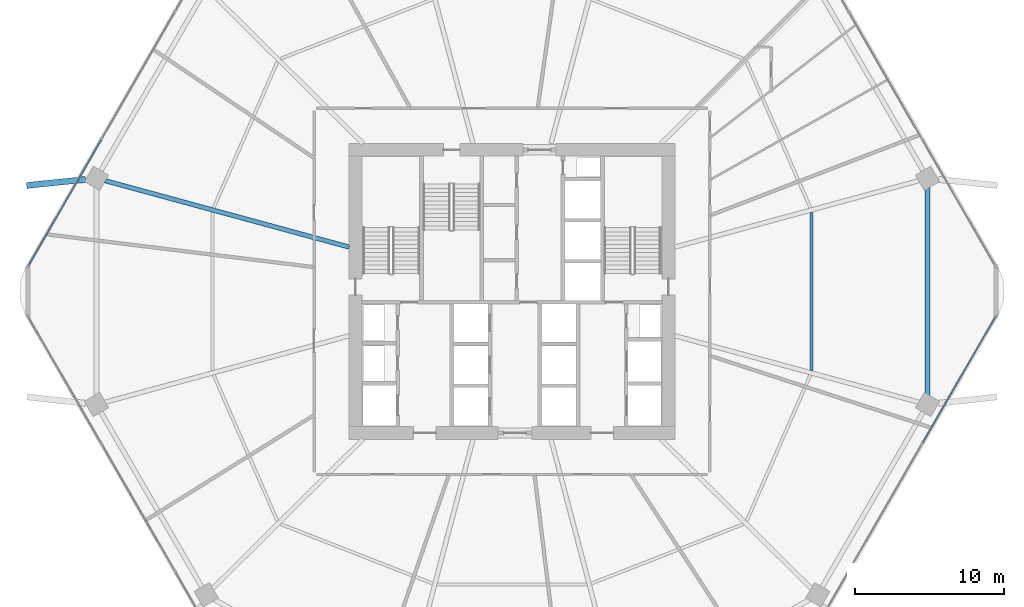
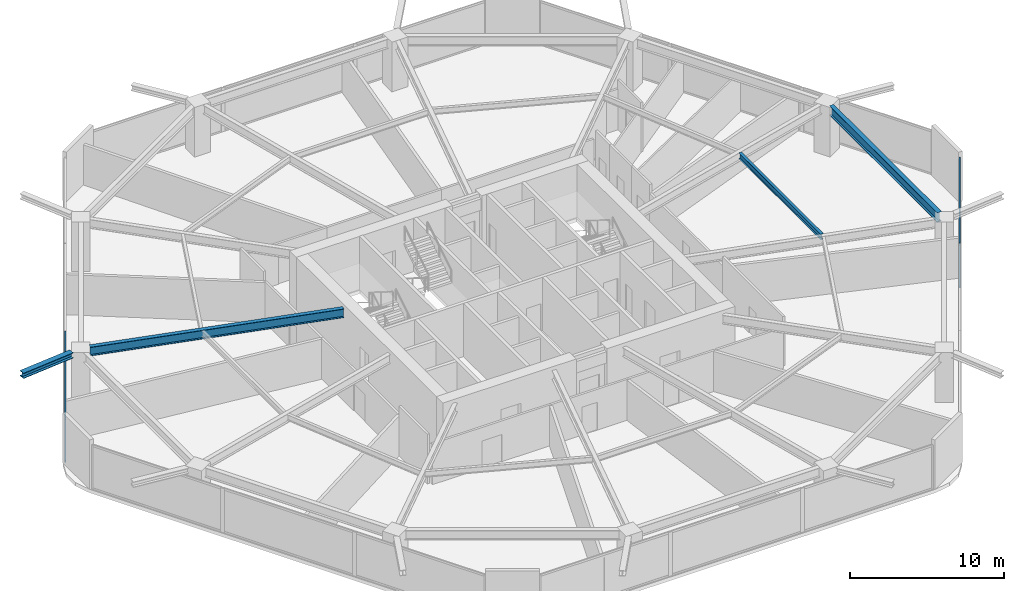
# One storey, part 12 of 25: 4 beams, 4 members, 2 elements without a shape of their own.
"""IFC4 building model written with IfcOpenShell, lengths in metres."""

from ifc_helpers import new_model, si_unit, direction, frame, origin, origin_2d, place, context, subcontext, project, spatial, hollow_rectangle, i_section, extrude, material, material_profile, profile_set, type_object, element, aggregate, save


model = new_model("IFC4")

# Units and contexts
model_context = context("Model", 3, precision=1e-05, world=origin(), true_north=direction((0.0, 1.0)))
body_context = subcontext(model_context, "Body", "Model", "MODEL_VIEW")
ifc_project = project(units=[si_unit("LENGTHUNIT", "METRE"), si_unit("AREAUNIT", "SQUARE_METRE"), si_unit("VOLUMEUNIT", "CUBIC_METRE"), si_unit("PLANEANGLEUNIT", "RADIAN"), si_unit("MASSUNIT", "GRAM", prefix="KILO")], contexts=[model_context])

# Site, building, storey
site_placement = place(None, origin())
site = spatial("IfcSite", under=ifc_project, at=site_placement, CompositionType="ELEMENT")
building_placement = place(site_placement, origin())
building = spatial("IfcBuilding", under=site, at=building_placement, Name="Zuhravey Tower", CompositionType="ELEMENT")
storey_placement = place(building_placement, frame((0.0, 0.0, 20.39990234375)))
storey = spatial("IfcBuildingStorey", under=building, at=storey_placement, Name="L05", CompositionType="ELEMENT", Elevation=20.39990234375)

# Curtain wall, members
ifc_material_1 = material(Name="Thermally broken anodised aluminium", Category="aluminium")
curtain_wall_type = type_object("IfcCurtainWallType", Name="School Low-E Unitised Curtain Wall CW1", PredefinedType="NOTDEFINED", material=ifc_material_1)
curtain_wall_1_placement = place(storey_placement, origin())
curtain_wall_1 = element("IfcCurtainWall", 1, at=curtain_wall_1_placement, inside=storey, type_object=curtain_wall_type, Name="L05 CW1 CW-L05-F6-1", PredefinedType="NOTDEFINED")
ifc_material_2 = material(Name="Anodised aluminium", Category="aluminium")
ifc_material_profile_1 = material_profile(ifc_material_2, hollow_rectangle(XDim=0.090087890625, YDim=0.14990234375, WallThickness=0.0048828125, at=origin_2d()), Name="ALU-RHS-90x150x5")
ifc_profile_set_1 = profile_set([ifc_material_profile_1], Name="Anodised aluminium")
member_type = type_object("IfcMemberType", Name="Curtain-Wall Transom 90x150", PredefinedType="USERDEFINED", material=ifc_profile_set_1)
member_1_placement = place(storey_placement, frame((68.43359375, 30.259521484375, 0.045166015625), z_axis=(-0.500008393077, -0.866020557985, 0.0), x_axis=(0.866020557985, -0.500008393077, 0.0)))
member_1 = element("IfcMember", 2, at=member_1_placement, type_object=member_type, Name="CW1 transom 1.1", ObjectType="TRANSOM", PredefinedType="USERDEFINED", context=body_context, shape_type="SweptSolid", body=[
    extrude(hollow_rectangle(XDim=0.090087890625, YDim=0.14990234375, WallThickness=0.0048828125, at=origin_2d()), origin(), (0.0, 0.0, 1.0), 9.731201171875),
])
member_2_placement = place(storey_placement, frame((68.43359375, 30.259521484375, 3.447021484375), z_axis=(-0.500008393077, -0.866020557985, 0.0), x_axis=(0.866020557985, -0.500008393077, 0.0)))
member_2 = element("IfcMember", 3, at=member_2_placement, type_object=member_type, Name="CW1 transom 1.2", ObjectType="TRANSOM", PredefinedType="USERDEFINED", context=body_context, shape_type="SweptSolid", body=[
    extrude(hollow_rectangle(XDim=0.090087890625, YDim=0.14990234375, WallThickness=0.0048828125, at=origin_2d()), origin(), (0.0, 0.0, 1.0), 9.731201171875),
])
aggregate(curtain_wall_1, [member_1, member_2])

curtain_wall_2_placement = place(storey_placement, origin())
curtain_wall_2 = element("IfcCurtainWall", 4, at=curtain_wall_2_placement, inside=storey, type_object=curtain_wall_type, Name="L05 CW1 CW-L05-F3-1", PredefinedType="NOTDEFINED")
member_3_placement = place(storey_placement, frame((3.56640625, 33.740478515625, 0.045166015625), z_axis=(0.500008393077, 0.866020557985, 0.0), x_axis=(-0.866020557985, 0.500008393077, 0.0)))
member_3 = element("IfcMember", 5, at=member_3_placement, type_object=member_type, Name="CW1 transom 1.1", ObjectType="TRANSOM", PredefinedType="USERDEFINED", context=body_context, shape_type="SweptSolid", body=[
    extrude(hollow_rectangle(XDim=0.090087890625, YDim=0.14990234375, WallThickness=0.0048828125, at=origin_2d()), origin(), (0.0, 0.0, 1.0), 9.731201171875),
])
member_4_placement = place(storey_placement, frame((3.56640625, 33.740478515625, 3.447021484375), z_axis=(0.500008393077, 0.866020557985, 0.0), x_axis=(-0.866020557985, 0.500008393077, 0.0)))
member_4 = element("IfcMember", 6, at=member_4_placement, type_object=member_type, Name="CW1 transom 1.2", ObjectType="TRANSOM", PredefinedType="USERDEFINED", context=body_context, shape_type="SweptSolid", body=[
    extrude(hollow_rectangle(XDim=0.090087890625, YDim=0.14990234375, WallThickness=0.0048828125, at=origin_2d()), origin(), (0.0, 0.0, 1.0), 9.731201171875),
])
aggregate(curtain_wall_2, [member_3, member_4])

# Beams
ifc_material_3 = material(Name="Steel SM460", Category="steel")
ifc_material_profile_2 = material_profile(ifc_material_3, i_section(OverallWidth=0.406982421875, OverallDepth=0.427978515625, WebThickness=0.02001953125, FlangeThickness=0.034912109375, at=origin_2d()), Name="H-428x407x20x35")
ifc_profile_set_2 = profile_set([ifc_material_profile_2], Name="Steel SM460")
beam_type_1 = type_object("IfcBeamType", Name="Exoskeleton Node Tie Beam H428x407", PredefinedType="BEAM", material=ifc_profile_set_2)
beam_1_placement = place(storey_placement, frame((7.37060546875, 39.515869140625, 3.7060546875), z_axis=(-0.994802246084, -0.101825788417, 0.0), x_axis=(0.101825788417, -0.994802246084, 0.0)))
element("IfcBeam", 7, at=beam_1_placement, inside=storey, type_object=beam_type_1, Name="L05 Exoskeleton Node Tie NT1-06", PredefinedType="BEAM", context=body_context, shape_type="SweptSolid", body=[
    extrude(i_section(OverallWidth=0.406982421875, OverallDepth=0.427978515625, WebThickness=0.02001953125, FlangeThickness=0.034912109375, at=origin_2d()), origin(), (0.0, 0.0, 1.0), 3.965576171875),
])
ifc_material_4 = material(Name="Steel SM355", Category="steel")
ifc_material_profile_3 = material_profile(ifc_material_4, i_section(OverallWidth=0.320068359375, OverallDepth=0.75, WebThickness=0.013916015625, FlangeThickness=0.02490234375, at=origin_2d()), Name="H-750x320x14x25")
ifc_profile_set_3 = profile_set([ifc_material_profile_3], Name="Steel SM355")
beam_type_2 = type_object("IfcBeamType", Name="Perimeter Ring Beam H750x320", PredefinedType="BEAM", material=ifc_profile_set_3)
beam_2_placement = place(storey_placement, frame((63.88916015625, 25.011474609375, 3.545166015625), z_axis=(0.0, 1.0, 0.0), x_axis=(-1.0, 0.0, 0.0)))
element("IfcBeam", 8, at=beam_2_placement, inside=storey, type_object=beam_type_2, Name="L05 PB1 BM-L05-PB-12", PredefinedType="BEAM", context=body_context, shape_type="SweptSolid", body=[
    extrude(i_section(OverallWidth=0.320068359375, OverallDepth=0.75, WebThickness=0.013916015625, FlangeThickness=0.02490234375, at=origin_2d()), origin(), (0.0, 0.0, 1.0), 13.97705078125),
])
ifc_material_profile_4 = material_profile(ifc_material_4, i_section(OverallWidth=0.300048828125, OverallDepth=0.699951171875, WebThickness=0.012939453125, FlangeThickness=0.02392578125, at=origin_2d()), Name="H-700x300x13x24")
ifc_profile_set_4 = profile_set([ifc_material_profile_4], Name="Steel SM355")
beam_type_3 = type_object("IfcBeamType", Name="Radial Primary Girder H700x300", PredefinedType="BEAM", material=ifc_profile_set_4)
beam_3_placement = place(storey_placement, frame((25.072021484375, 34.974609375, 3.570068359375), z_axis=(-0.964892480455, 0.26264520015, 0.0), x_axis=(-0.26264520015, -0.964892480455, 0.0)))
element("IfcBeam", 9, at=beam_3_placement, inside=storey, type_object=beam_type_3, Name="L05 RG1 BM-L05-RAD-06", PredefinedType="BEAM", context=body_context, shape_type="SweptSolid", body=[
    extrude(i_section(OverallWidth=0.300048828125, OverallDepth=0.699951171875, WebThickness=0.012939453125, FlangeThickness=0.02392578125, at=origin_2d()), origin(), (0.0, 0.0, 1.0), 16.975341796875),
])
ifc_material_profile_5 = material_profile(ifc_material_4, i_section(OverallWidth=0.199951171875, OverallDepth=0.449951171875, WebThickness=0.009033203125, FlangeThickness=0.013916015625, at=origin_2d()), Name="H-450x200x9x14")
ifc_profile_set_5 = profile_set([ifc_material_profile_5], Name="Steel SM355")
beam_type_4 = type_object("IfcBeamType", Name="Secondary Floor Joist H450x200", PredefinedType="JOIST", material=ifc_profile_set_5)
beam_4_placement = place(storey_placement, frame((56.0869140625, 26.686279296875, 3.695068359375), z_axis=(0.0, 1.0, 0.0), x_axis=(-1.0, 0.0, 0.0)))
element("IfcBeam", 10, at=beam_4_placement, inside=storey, type_object=beam_type_4, Name="L05 SJ1 BM-L05-SJ-12-1", PredefinedType="JOIST", context=body_context, shape_type="SweptSolid", body=[
    extrude(i_section(OverallWidth=0.199951171875, OverallDepth=0.449951171875, WebThickness=0.009033203125, FlangeThickness=0.013916015625, at=origin_2d()), origin(), (0.0, 0.0, 1.0), 10.62744140625),
])

save(model, "model.ifc")
